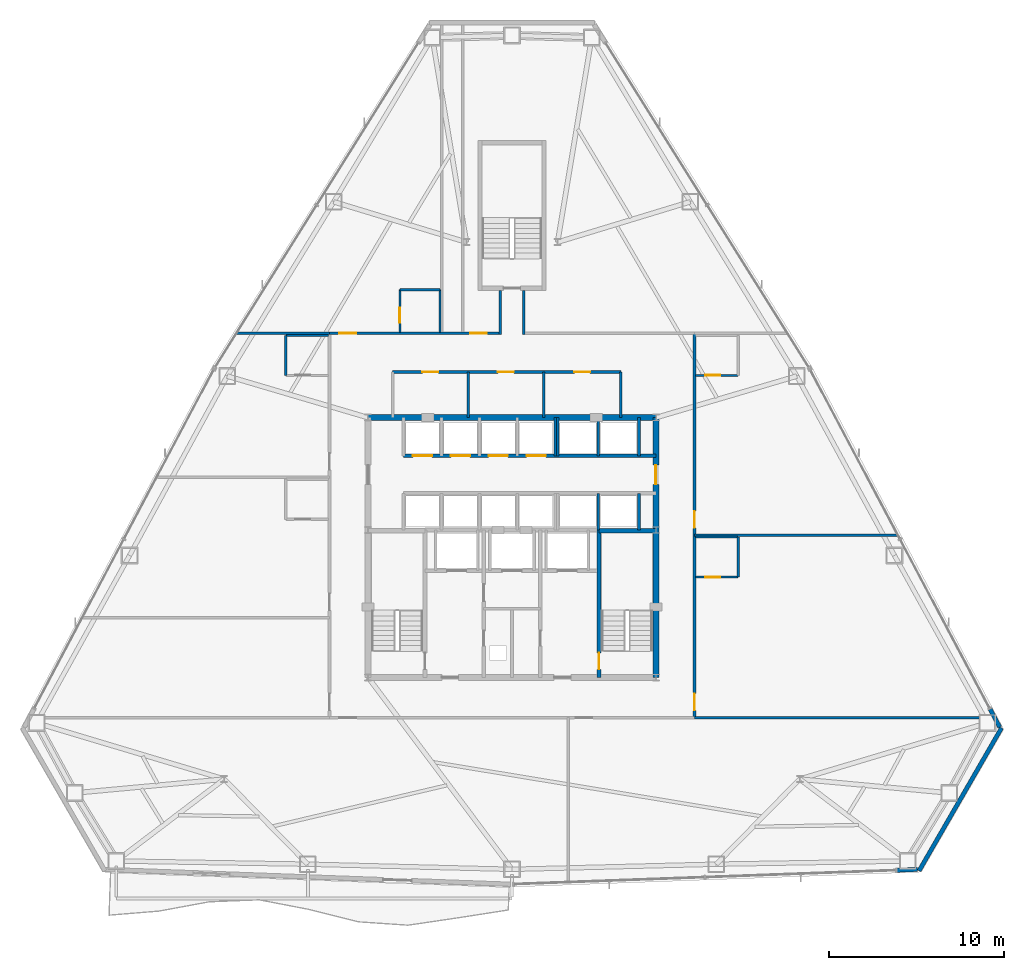
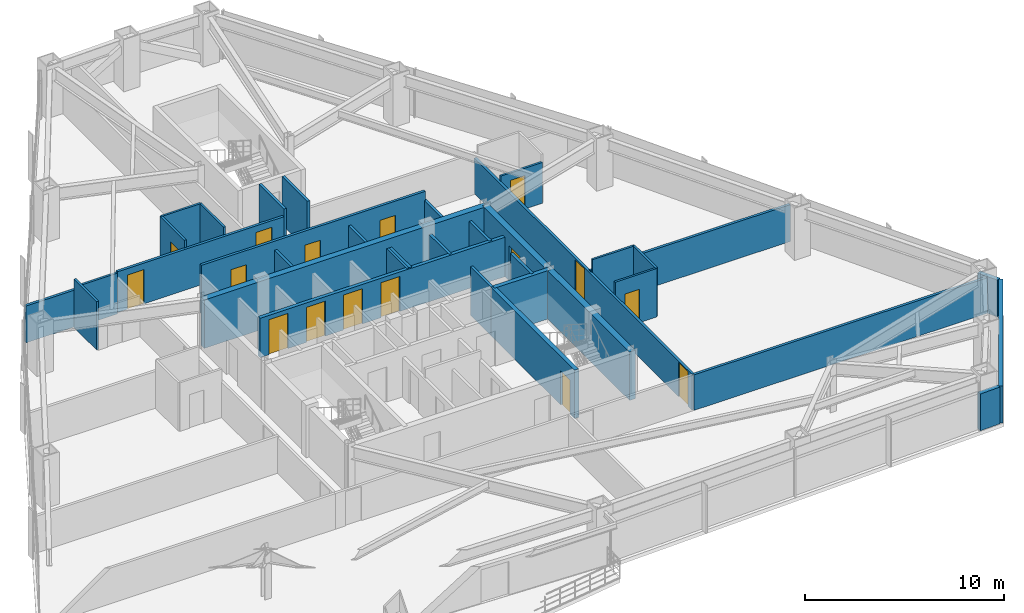
# One storey, part 10 of 13: 34 walls, 16 doors, 16 openings.
"""IFC4 building model written with IfcOpenShell, lengths in metres."""

from ifc_helpers import new_model, si_unit, direction, frame, frame_2d, origin, place, context, subcontext, project, spatial, rectangle, extrude, material, layer, layer_set, type_object, element, fill, save


model = new_model("IFC4")

# Units and contexts
model_context = context("Model", 3, precision=1e-05, world=origin(), true_north=direction((0.0, 1.0)))
body_context = subcontext(model_context, "Body", "Model", "MODEL_VIEW")
ifc_project = project(units=[si_unit("LENGTHUNIT", "METRE"), si_unit("AREAUNIT", "SQUARE_METRE"), si_unit("VOLUMEUNIT", "CUBIC_METRE"), si_unit("PLANEANGLEUNIT", "RADIAN"), si_unit("MASSUNIT", "GRAM", prefix="KILO")], contexts=[model_context])

# Site, building, storey
site_placement = place(None, origin())
site = spatial("IfcSite", under=ifc_project, at=site_placement, CompositionType="ELEMENT")
building_placement = place(site_placement, origin())
building = spatial("IfcBuilding", under=site, at=building_placement, Name="Varakhsha Concourse Tower", CompositionType="ELEMENT")
storey_placement = place(building_placement, frame((0.0, 0.0, 99.0)))
storey = spatial("IfcBuildingStorey", under=building, at=storey_placement, Name="L28", CompositionType="ELEMENT", Elevation=99.0)

# Wall
ifc_material_1 = material(Name="Concrete fc 65 MPa", Category="concrete")
ifc_layer_1 = layer(ifc_material_1, 0.35009765625, Name="WL-CORE-350")
ifc_layer_set_1 = layer_set([ifc_layer_1], Name="Concrete fc 65 MPa")
wall_type_1 = type_object("IfcWallType", Name="WL-CORE-350", PredefinedType="SHEAR", material=ifc_layer_set_1)
wall_1_placement = place(storey_placement, frame((31.800048828125, 31.199951171875, 0.0), z_axis=(0.0, 0.0, 1.0), x_axis=(1.0, 0.0, 0.0)))
element("IfcWall", 1, at=wall_1_placement, inside=storey, type_object=wall_type_1, Name="L28 Wall CWALL-N-L28", PredefinedType="SHEAR", context=body_context, shape_type="SweptSolid", body=[
    extrude(rectangle(XDim=16.39990234375, YDim=0.35009765625, at=frame_2d((8.199951171875, 0.0))), origin(), (0.0, 0.0, 1.0), 2.969970703125),
])

# Wall, opening, door
wall_2_placement = place(storey_placement, frame((48.199951171875, 16.39990234375, 0.0), z_axis=(0.0, 0.0, 1.0), x_axis=(0.0, 1.0, 0.0)))
wall_2 = element("IfcWall", 2, at=wall_2_placement, inside=storey, type_object=wall_type_1, Name="L28 Wall CWALL-E-L28", PredefinedType="SHEAR", context=body_context, shape_type="SweptSolid", body=[
    extrude(rectangle(XDim=14.800048828125, YDim=0.35009765625, at=frame_2d((7.39990234375, 0.0))), origin(), (0.0, 0.0, 1.0), 2.969970703125),
])
opening_1_placement = place(wall_2_placement, frame((11.0, 0.0, 0.0)))
opening_1 = element("IfcOpeningElement", 3, at=opening_1_placement, cuts=wall_2, Name="Opening DL-01", PredefinedType="OPENING", context=body_context, shape_type="SweptSolid", body=[
    extrude(rectangle(XDim=1.10009765625, YDim=2.14990234375, at=frame_2d((0.550048828125, 1.074951171875))), frame((0.0, 0.18505859375, 0.0), z_axis=(0.0, -1.0, 0.0), x_axis=(1.0, 0.0, 0.0)), (0.0, 0.0, 1.0), 0.3701171875),
])
ifc_material_2 = material(Name="Anodised Bronze Architectural Aluminium AA 6063-T6", Category="aluminium")
door_type_1 = type_object("IfcDoorType", Name="DR-LOB-1100", OperationType="NOTDEFINED", PredefinedType="DOOR", material=ifc_material_2)
door_1_placement = place(opening_1_placement, origin())
door_1 = element("IfcDoor", 4, at=door_1_placement, inside=storey, type_object=door_type_1, Name="L28 Lift Lobby East Concourse Door", OperationType="SINGLE_SWING_RIGHT", OverallHeight=2.14990234375, OverallWidth=1.10009765625, PredefinedType="DOOR", context=body_context, shape_type="SweptSolid", body=[
    extrude(rectangle(XDim=1.10009765625, YDim=2.14990234375, at=frame_2d((0.550048828125, 1.074951171875))), frame((0.0, 0.02490234375, 0.0), z_axis=(0.0, -1.0, 0.0), x_axis=(1.0, 0.0, 0.0)), (0.0, 0.0, 1.0), 0.050048828125),
])
fill(opening_1, door_1)

# Walls
ifc_material_3 = material(Name="Concrete fc 45 MPa", Category="concrete")
ifc_layer_2 = layer(ifc_material_3, 0.239990234375, Name="WL-EXT-CRN-240")
ifc_layer_set_2 = layer_set([ifc_layer_2], Name="Concrete fc 45 MPa")
wall_type_2 = type_object("IfcWallType", Name="WL-EXT-CRN-240", PredefinedType="SHEAR", material=ifc_layer_set_2)
wall_3_placement = place(storey_placement, frame((61.948486328125, 5.40966796875, 0.0), z_axis=(0.0, 0.0, 1.0), x_axis=(0.999339636621, 0.036335804358, 0.0)))
element("IfcWall", 5, at=wall_3_placement, inside=storey, type_object=wall_type_2, Name="L28 Wind-Corner Shoulder Wall F6", PredefinedType="SHEAR", context=body_context, shape_type="SweptSolid", body=[
    extrude(rectangle(XDim=1.162353515625, YDim=0.239990234375, at=frame_2d((0.5810546875, 0.0))), origin(), (0.0, 0.0, 1.0), 2.2529296875),
])
wall_4_placement = place(storey_placement, frame((67.897216796875, 13.5205078125, 0.0), z_axis=(0.0, 0.0, 1.0), x_axis=(-0.499996739618, -0.866027286158, 0.0)))
element("IfcWall", 6, at=wall_4_placement, inside=storey, type_object=wall_type_2, Name="L28 Chamfer Wind-Corner Insulated Wall F7", PredefinedType="SHEAR", context=body_context, shape_type="SweptSolid", body=[
    extrude(rectangle(XDim=9.39990234375, YDim=0.239990234375, at=frame_2d((4.699951171875, 0.0))), origin(), (0.0, 0.0, 1.0), 2.2529296875),
])
wall_5_placement = place(storey_placement, frame((67.79150390625, 13.56005859375, 0.0), z_axis=(0.0, 0.0, 1.0), x_axis=(-0.468090329887, 0.883680622774, 0.0)))
element("IfcWall", 7, at=wall_5_placement, inside=storey, type_object=wall_type_2, Name="L28 Wind-Corner Shoulder Wall F8", PredefinedType="SHEAR", context=body_context, shape_type="SweptSolid", body=[
    extrude(rectangle(XDim=1.16259765625, YDim=0.239990234375, at=frame_2d((0.581298828125, 0.0))), origin(), (0.0, 0.0, 1.0), 2.2529296875),
])
ifc_material_4 = material(Name="Acoustic Gypsum Board Partition Assembly", Category="gypsum")
ifc_layer_3 = layer(ifc_material_4, 0.1201171875, Name="WL-PART-120")
ifc_layer_set_3 = layer_set([ifc_layer_3], Name="Acoustic Gypsum Board Partition Assembly")
wall_type_3 = type_object("IfcWallType", Name="WL-PART-120", PredefinedType="PARTITIONING", material=ifc_layer_set_3)
wall_6_placement = place(storey_placement, frame((27.110107421875, 33.610107421875, 0.0), z_axis=(0.0, 0.0, 1.0), x_axis=(0.0, 1.0, 0.0)))
element("IfcWall", 8, at=wall_6_placement, inside=storey, type_object=wall_type_3, Name="L28 Wall ENSW-W-L28-H05", PredefinedType="PARTITIONING", context=body_context, shape_type="SweptSolid", body=[
    extrude(rectangle(XDim=2.27978515625, YDim=0.1201171875, at=frame_2d((1.139892578125, 0.0))), origin(), (0.0, 0.0, 1.0), 2.969970703125),
])
wall_7_placement = place(storey_placement, frame((27.110107421875, 35.889892578125, 0.0), z_axis=(0.0, 0.0, 1.0), x_axis=(1.0, 0.0, 0.0)))
element("IfcWall", 9, at=wall_7_placement, inside=storey, type_object=wall_type_3, Name="L28 Wall ENSW-N-L28-H05", PredefinedType="PARTITIONING", context=body_context, shape_type="SweptSolid", body=[
    extrude(rectangle(XDim=2.429931640625, YDim=0.1201171875, at=frame_2d((1.21484375, 0.0))), origin(), (0.0, 0.0, 1.0), 2.5029296875),
])
wall_8_placement = place(storey_placement, frame((52.889892578125, 22.110107421875, 0.0), z_axis=(0.0, 0.0, 1.0), x_axis=(0.0, 1.0, 0.0)))
element("IfcWall", 10, at=wall_8_placement, inside=storey, type_object=wall_type_3, Name="L28 Wall ENSW-E-L28-H06", PredefinedType="PARTITIONING", context=body_context, shape_type="SweptSolid", body=[
    extrude(rectangle(XDim=2.27978515625, YDim=0.1201171875, at=frame_2d((1.139892578125, 0.0))), origin(), (0.0, 0.0, 1.0), 2.969970703125),
])

# Wall, opening, door
wall_9_placement = place(storey_placement, frame((50.4599609375, 22.110107421875, 0.0), z_axis=(0.0, 0.0, 1.0), x_axis=(1.0, 0.0, 0.0)))
wall_9 = element("IfcWall", 11, at=wall_9_placement, inside=storey, type_object=wall_type_3, Name="L28 Wall ENSW-S-L28-H06", PredefinedType="PARTITIONING", context=body_context, shape_type="SweptSolid", body=[
    extrude(rectangle(XDim=2.429931640625, YDim=0.1201171875, at=frame_2d((1.21484375, 0.0))), origin(), (0.0, 0.0, 1.0), 2.969970703125),
])
opening_2_placement = place(wall_9_placement, frame((0.550048828125, 0.0, 0.0)))
opening_2 = element("IfcOpeningElement", 12, at=opening_2_placement, cuts=wall_9, Name="Opening DI-01", PredefinedType="OPENING", context=body_context, shape_type="SweptSolid", body=[
    extrude(rectangle(XDim=0.85009765625, YDim=2.050048828125, at=frame_2d((0.425048828125, 1.02490234375))), frame((0.0, 0.070068359375, 0.0), z_axis=(0.0, -1.0, 0.0), x_axis=(1.0, 0.0, 0.0)), (0.0, 0.0, 1.0), 0.14013671875),
])
ifc_material_5 = material(Name="Architectural Walnut Acoustic Timber Door", Category="wood")
door_type_2 = type_object("IfcDoorType", Name="DR-INT-850", OperationType="NOTDEFINED", PredefinedType="DOOR", material=ifc_material_5)
door_2_placement = place(opening_2_placement, origin())
door_2 = element("IfcDoor", 13, at=door_2_placement, inside=storey, type_object=door_type_2, Name="L28 En-suite Bathroom Door L28-H06", OperationType="SINGLE_SWING_RIGHT", OverallHeight=2.050048828125, OverallWidth=0.85009765625, PredefinedType="DOOR", context=body_context, shape_type="SweptSolid", body=[
    extrude(rectangle(XDim=0.85009765625, YDim=2.050048828125, at=frame_2d((0.425048828125, 1.02490234375))), frame((0.0, 0.02490234375, 0.0), z_axis=(0.0, -1.0, 0.0), x_axis=(1.0, 0.0, 0.0)), (0.0, 0.0, 1.0), 0.050048828125),
])
fill(opening_2, door_2)

# Wall
wall_10_placement = place(storey_placement, frame((50.4599609375, 24.389892578125, 0.0), z_axis=(0.0, 0.0, 1.0), x_axis=(1.0, 0.0, 0.0)))
element("IfcWall", 14, at=wall_10_placement, inside=storey, type_object=wall_type_3, Name="L28 Wall ENSW-N-L28-H06", PredefinedType="PARTITIONING", context=body_context, shape_type="SweptSolid", body=[
    extrude(rectangle(XDim=2.429931640625, YDim=0.1201171875, at=frame_2d((1.21484375, 0.0))), origin(), (0.0, 0.0, 1.0), 2.969970703125),
])

# Wall, opening, door
wall_11_placement = place(storey_placement, frame((50.4599609375, 33.610107421875, 0.0), z_axis=(0.0, 0.0, 1.0), x_axis=(1.0, 0.0, 0.0)))
wall_11 = element("IfcWall", 15, at=wall_11_placement, inside=storey, type_object=wall_type_3, Name="L28 Wall ENSW-S-L28-H07", PredefinedType="PARTITIONING", context=body_context, shape_type="SweptSolid", body=[
    extrude(rectangle(XDim=2.429931640625, YDim=0.1201171875, at=frame_2d((1.21484375, 0.0))), origin(), (0.0, 0.0, 1.0), 2.5029296875),
])
opening_3_placement = place(wall_11_placement, frame((0.550048828125, 0.0, 0.0)))
opening_3 = element("IfcOpeningElement", 16, at=opening_3_placement, cuts=wall_11, Name="Opening DI-01", PredefinedType="OPENING", context=body_context, shape_type="SweptSolid", body=[
    extrude(rectangle(XDim=0.85009765625, YDim=2.050048828125, at=frame_2d((0.425048828125, 1.02490234375))), frame((0.0, 0.070068359375, 0.0), z_axis=(0.0, -1.0, 0.0), x_axis=(1.0, 0.0, 0.0)), (0.0, 0.0, 1.0), 0.14013671875),
])
door_3_placement = place(opening_3_placement, origin())
door_3 = element("IfcDoor", 17, at=door_3_placement, inside=storey, type_object=door_type_2, Name="L28 En-suite Bathroom Door L28-H07", OperationType="SINGLE_SWING_RIGHT", OverallHeight=2.050048828125, OverallWidth=0.85009765625, PredefinedType="DOOR", context=body_context, shape_type="SweptSolid", body=[
    extrude(rectangle(XDim=0.85009765625, YDim=2.050048828125, at=frame_2d((0.425048828125, 1.02490234375))), frame((0.0, 0.02490234375, 0.0), z_axis=(0.0, -1.0, 0.0), x_axis=(1.0, 0.0, 0.0)), (0.0, 0.0, 1.0), 0.050048828125),
])
fill(opening_3, door_3)

wall_12_placement = place(storey_placement, frame((33.610107421875, 36.06005859375, 0.0), z_axis=(0.0, 0.0, 1.0), x_axis=(0.0, 1.0, 0.0)))
wall_12 = element("IfcWall", 18, at=wall_12_placement, inside=storey, type_object=wall_type_3, Name="L28 Wall ENSW-W-L28-H08", PredefinedType="PARTITIONING", context=body_context, shape_type="SweptSolid", body=[
    extrude(rectangle(XDim=2.429931640625, YDim=0.1201171875, at=frame_2d((1.21484375, 0.0))), origin(), (0.0, 0.0, 1.0), 2.969970703125),
])
opening_4_placement = place(wall_12_placement, frame((0.550048828125, 0.0, 0.0)))
opening_4 = element("IfcOpeningElement", 19, at=opening_4_placement, cuts=wall_12, Name="Opening DI-01", PredefinedType="OPENING", context=body_context, shape_type="SweptSolid", body=[
    extrude(rectangle(XDim=0.85009765625, YDim=2.050048828125, at=frame_2d((0.425048828125, 1.02490234375))), frame((0.0, 0.070068359375, 0.0), z_axis=(0.0, -1.0, 0.0), x_axis=(1.0, 0.0, 0.0)), (0.0, 0.0, 1.0), 0.14013671875),
])
door_4_placement = place(opening_4_placement, origin())
door_4 = element("IfcDoor", 20, at=door_4_placement, inside=storey, type_object=door_type_2, Name="L28 En-suite Bathroom Door L28-H08", OperationType="SINGLE_SWING_RIGHT", OverallHeight=2.050048828125, OverallWidth=0.85009765625, PredefinedType="DOOR", context=body_context, shape_type="SweptSolid", body=[
    extrude(rectangle(XDim=0.85009765625, YDim=2.050048828125, at=frame_2d((0.425048828125, 1.02490234375))), frame((0.0, 0.02490234375, 0.0), z_axis=(0.0, -1.0, 0.0), x_axis=(1.0, 0.0, 0.0)), (0.0, 0.0, 1.0), 0.050048828125),
])
fill(opening_4, door_4)

# Walls
wall_13_placement = place(storey_placement, frame((35.889892578125, 36.06005859375, 0.0), z_axis=(0.0, 0.0, 1.0), x_axis=(0.0, 1.0, 0.0)))
element("IfcWall", 21, at=wall_13_placement, inside=storey, type_object=wall_type_3, Name="L28 Wall ENSW-E-L28-H08", PredefinedType="PARTITIONING", context=body_context, shape_type="SweptSolid", body=[
    extrude(rectangle(XDim=2.429931640625, YDim=0.1201171875, at=frame_2d((1.21484375, 0.0))), origin(), (0.0, 0.0, 1.0), 2.969970703125),
])
wall_14_placement = place(storey_placement, frame((33.610107421875, 38.489990234375, 0.0), z_axis=(0.0, 0.0, 1.0), x_axis=(1.0, 0.0, 0.0)))
element("IfcWall", 22, at=wall_14_placement, inside=storey, type_object=wall_type_3, Name="L28 Wall ENSW-N-L28-H08", PredefinedType="PARTITIONING", context=body_context, shape_type="SweptSolid", body=[
    extrude(rectangle(XDim=2.27978515625, YDim=0.1201171875, at=frame_2d((1.139892578125, 0.0))), origin(), (0.0, 0.0, 1.0), 2.969970703125),
])

# Wall, openings, doors
ifc_material_6 = material(Name="Fire-Rated Type X Gypsum Partition Assembly", Category="gypsum")
ifc_layer_4 = layer(ifc_material_6, 0.14990234375, Name="WL-PART-150")
ifc_layer_set_4 = layer_set([ifc_layer_4], Name="Fire-Rated Type X Gypsum Partition Assembly")
wall_type_4 = type_object("IfcWallType", Name="WL-PART-150", PredefinedType="PARTITIONING", material=ifc_layer_set_4)
wall_15_placement = place(storey_placement, frame((33.199951171875, 33.800048828125, 0.0), z_axis=(0.0, 0.0, 1.0), x_axis=(1.0, 0.0, 0.0)))
wall_15 = element("IfcWall", 23, at=wall_15_placement, inside=storey, type_object=wall_type_4, Name="L28 Wall NBOH-N-L28", PredefinedType="PARTITIONING", context=body_context, shape_type="SweptSolid", body=[
    extrude(rectangle(XDim=13.0, YDim=0.14990234375, at=frame_2d((6.5, 0.0))), origin(), (0.0, 0.0, 1.0), 2.969970703125),
])
opening_5_placement = place(wall_15_placement, frame((1.699951171875, 0.0, 0.0)))
opening_5 = element("IfcOpeningElement", 24, at=opening_5_placement, cuts=wall_15, Name="Opening DF-06", PredefinedType="OPENING", context=body_context, shape_type="SweptSolid", body=[
    extrude(rectangle(XDim=0.89990234375, YDim=2.10009765625, at=frame_2d((0.449951171875, 1.050048828125))), frame((0.0, 0.0849609375, 0.0), z_axis=(0.0, -1.0, 0.0), x_axis=(1.0, 0.0, 0.0)), (0.0, 0.0, 1.0), 0.169921875),
])
opening_6_placement = place(wall_15_placement, frame((6.0, 0.0, 0.0)))
opening_6 = element("IfcOpeningElement", 25, at=opening_6_placement, cuts=wall_15, Name="Opening DF-06", PredefinedType="OPENING", context=body_context, shape_type="SweptSolid", body=[
    extrude(rectangle(XDim=0.89990234375, YDim=2.10009765625, at=frame_2d((0.449951171875, 1.050048828125))), frame((0.0, 0.0849609375, 0.0), z_axis=(0.0, -1.0, 0.0), x_axis=(1.0, 0.0, 0.0)), (0.0, 0.0, 1.0), 0.169921875),
])
opening_7_placement = place(wall_15_placement, frame((10.35009765625, 0.0, 0.0)))
opening_7 = element("IfcOpeningElement", 26, at=opening_7_placement, cuts=wall_15, Name="Opening DF-06", PredefinedType="OPENING", context=body_context, shape_type="SweptSolid", body=[
    extrude(rectangle(XDim=0.89990234375, YDim=2.10009765625, at=frame_2d((0.449951171875, 1.050048828125))), frame((0.0, 0.0849609375, 0.0), z_axis=(0.0, -1.0, 0.0), x_axis=(1.0, 0.0, 0.0)), (0.0, 0.0, 1.0), 0.169921875),
])
ifc_material_7 = material(Name="Hollow Galvanised Steel Fire Door Assembly", Category="steel")
door_type_3 = type_object("IfcDoorType", Name="DR-FD60-900", OperationType="NOTDEFINED", PredefinedType="DOOR", material=ifc_material_7)
door_5_placement = place(opening_5_placement, origin())
door_5 = element("IfcDoor", 27, at=door_5_placement, inside=storey, type_object=door_type_3, Name="L28 Housekeeping and Linen Room Door", OperationType="SINGLE_SWING_LEFT", OverallHeight=2.10009765625, OverallWidth=0.89990234375, PredefinedType="DOOR", context=body_context, shape_type="SweptSolid", body=[
    extrude(rectangle(XDim=0.89990234375, YDim=2.10009765625, at=frame_2d((0.449951171875, 1.050048828125))), frame((0.0, 0.02490234375, 0.0), z_axis=(0.0, -1.0, 0.0), x_axis=(1.0, 0.0, 0.0)), (0.0, 0.0, 1.0), 0.050048828125),
])
fill(opening_5, door_5)
door_6_placement = place(opening_6_placement, origin())
door_6 = element("IfcDoor", 28, at=door_6_placement, inside=storey, type_object=door_type_3, Name="L28 Accessible WC Door", OperationType="SINGLE_SWING_RIGHT", OverallHeight=2.10009765625, OverallWidth=0.89990234375, PredefinedType="DOOR", context=body_context, shape_type="SweptSolid", body=[
    extrude(rectangle(XDim=0.89990234375, YDim=2.10009765625, at=frame_2d((0.449951171875, 1.050048828125))), frame((0.0, 0.02490234375, 0.0), z_axis=(0.0, -1.0, 0.0), x_axis=(1.0, 0.0, 0.0)), (0.0, 0.0, 1.0), 0.050048828125),
])
fill(opening_6, door_6)
door_7_placement = place(opening_7_placement, origin())
door_7 = element("IfcDoor", 29, at=door_7_placement, inside=storey, type_object=door_type_3, Name="L28 Staff Restroom WC Door", OperationType="SINGLE_SWING_LEFT", OverallHeight=2.10009765625, OverallWidth=0.89990234375, PredefinedType="DOOR", context=body_context, shape_type="SweptSolid", body=[
    extrude(rectangle(XDim=0.89990234375, YDim=2.10009765625, at=frame_2d((0.449951171875, 1.050048828125))), frame((0.0, 0.02490234375, 0.0), z_axis=(0.0, -1.0, 0.0), x_axis=(1.0, 0.0, 0.0)), (0.0, 0.0, 1.0), 0.050048828125),
])
fill(opening_7, door_7)

# Walls
for number, where, z_axis, x_axis, name in (
    (30, (46.199951171875, 31.199951171875, 0.0), (0.0, 0.0, 1.0), (0.0, 1.0, 0.0), "L28 Wall NBOH-E-L28"),
    (31, (37.5, 31.199951171875, 0.0), (0.0, 0.0, 1.0), (0.0, 1.0, 0.0), "L28 Wall NBOH-D1-L28"),
    (32, (41.800048828125, 31.199951171875, 0.0), (0.0, 0.0, 1.0), (0.0, 1.0, 0.0), "L28 Wall NBOH-D2-L28"),
):
    element("IfcWall", number, at=place(storey_placement, frame(where, z_axis=z_axis, x_axis=x_axis)), inside=storey, type_object=wall_type_4, Name=name, PredefinedType="PARTITIONING", context=body_context, shape_type="SweptSolid", body=[
        extrude(rectangle(XDim=2.60009765625, YDim=0.14990234375, at=frame_2d((1.300048828125, 0.0))), origin(), (0.0, 0.0, 1.0), 2.4208984375),
    ])

# Wall, openings, doors
wall_16_placement = place(storey_placement, frame((29.60009765625, 36.0, 0.0), z_axis=(0.0, 0.0, 1.0), x_axis=(1.0, 0.0, 0.0)))
wall_16 = element("IfcWall", 33, at=wall_16_placement, inside=storey, type_object=wall_type_4, Name="L28 Wall CRW-N-L28", PredefinedType="PARTITIONING", context=body_context, shape_type="SweptSolid", body=[
    extrude(rectangle(XDim=9.64990234375, YDim=0.14990234375, at=frame_2d((4.824951171875, 0.0))), origin(), (0.0, 0.0, 1.0), 2.5029296875),
])
opening_8_placement = place(wall_16_placement, frame((0.570068359375, 0.0, 0.0)))
opening_8 = element("IfcOpeningElement", 34, at=opening_8_placement, cuts=wall_16, Name="Opening DF-05", PredefinedType="OPENING", context=body_context, shape_type="SweptSolid", body=[
    extrude(rectangle(XDim=0.949951171875, YDim=2.10009765625, at=frame_2d((0.47509765625, 1.050048828125))), frame((0.0, 0.0849609375, 0.0), z_axis=(0.0, -1.0, 0.0), x_axis=(1.0, 0.0, 0.0)), (0.0, 0.0, 1.0), 0.169921875),
])
opening_9_placement = place(wall_16_placement, frame((8.02001953125, 0.0, 0.0)))
opening_9 = element("IfcOpeningElement", 35, at=opening_9_placement, cuts=wall_16, Name="Opening DF-05", PredefinedType="OPENING", context=body_context, shape_type="SweptSolid", body=[
    extrude(rectangle(XDim=0.949951171875, YDim=2.10009765625, at=frame_2d((0.47509765625, 1.050048828125))), frame((0.0, 0.0849609375, 0.0), z_axis=(0.0, -1.0, 0.0), x_axis=(1.0, 0.0, 0.0)), (0.0, 0.0, 1.0), 0.169921875),
])
door_type_4 = type_object("IfcDoorType", Name="DR-FD60-950", OperationType="NOTDEFINED", PredefinedType="DOOR", material=ifc_material_7)
door_8_placement = place(opening_8_placement, origin())
door_8 = element("IfcDoor", 36, at=door_8_placement, inside=storey, type_object=door_type_4, Name="L28 Hotel Corner Suite L28-H08 Entry Door", OperationType="SINGLE_SWING_RIGHT", OverallHeight=2.10009765625, OverallWidth=0.949951171875, PredefinedType="DOOR", context=body_context, shape_type="SweptSolid", body=[
    extrude(rectangle(XDim=0.949951171875, YDim=2.10009765625, at=frame_2d((0.47509765625, 1.050048828125))), frame((0.0, 0.02490234375, 0.0), z_axis=(0.0, -1.0, 0.0), x_axis=(1.0, 0.0, 0.0)), (0.0, 0.0, 1.0), 0.050048828125),
])
fill(opening_8, door_8)
door_9_placement = place(opening_9_placement, origin())
door_9 = element("IfcDoor", 37, at=door_9_placement, inside=storey, type_object=door_type_4, Name="L28 Hospitality Conservatory Lounge L28-H09 Door", OperationType="SINGLE_SWING_LEFT", OverallHeight=2.10009765625, OverallWidth=0.949951171875, PredefinedType="DOOR", context=body_context, shape_type="SweptSolid", body=[
    extrude(rectangle(XDim=0.949951171875, YDim=2.10009765625, at=frame_2d((0.47509765625, 1.050048828125))), frame((0.0, 0.02490234375, 0.0), z_axis=(0.0, -1.0, 0.0), x_axis=(1.0, 0.0, 0.0)), (0.0, 0.0, 1.0), 0.050048828125),
])
fill(opening_9, door_9)

wall_17_placement = place(storey_placement, frame((50.39990234375, 14.10009765625, 0.0), z_axis=(0.0, 0.0, 1.0), x_axis=(0.0, 1.0, 0.0)))
wall_17 = element("IfcWall", 38, at=wall_17_placement, inside=storey, type_object=wall_type_4, Name="L28 Wall CRW-E-L28", PredefinedType="PARTITIONING", context=body_context, shape_type="SweptSolid", body=[
    extrude(rectangle(XDim=21.89990234375, YDim=0.14990234375, at=frame_2d((10.949951171875, 0.0))), origin(), (0.0, 0.0, 1.0), 2.180908203125),
])
opening_10_placement = place(wall_17_placement, frame((0.419921875, 0.0, 0.0)))
opening_10 = element("IfcOpeningElement", 39, at=opening_10_placement, cuts=wall_17, Name="Opening DF-05", PredefinedType="OPENING", context=body_context, shape_type="SweptSolid", body=[
    extrude(rectangle(XDim=0.949951171875, YDim=2.10009765625, at=frame_2d((0.47509765625, 1.050048828125))), frame((0.0, 0.0849609375, 0.0), z_axis=(0.0, -1.0, 0.0), x_axis=(1.0, 0.0, 0.0)), (0.0, 0.0, 1.0), 0.169921875),
])
opening_11_placement = place(wall_17_placement, frame((10.820068359375, 0.0, 0.0)))
opening_11 = element("IfcOpeningElement", 40, at=opening_11_placement, cuts=wall_17, Name="Opening DF-05", PredefinedType="OPENING", context=body_context, shape_type="SweptSolid", body=[
    extrude(rectangle(XDim=0.949951171875, YDim=2.10009765625, at=frame_2d((0.47509765625, 1.050048828125))), frame((0.0, 0.0849609375, 0.0), z_axis=(0.0, -1.0, 0.0), x_axis=(1.0, 0.0, 0.0)), (0.0, 0.0, 1.0), 0.169921875),
])
door_10_placement = place(opening_10_placement, origin())
door_10 = element("IfcDoor", 41, at=door_10_placement, inside=storey, type_object=door_type_4, Name="L28 Hotel Corner Suite L28-H06 Entry Door", OperationType="SINGLE_SWING_RIGHT", OverallHeight=2.10009765625, OverallWidth=0.949951171875, PredefinedType="DOOR", context=body_context, shape_type="SweptSolid", body=[
    extrude(rectangle(XDim=0.949951171875, YDim=2.10009765625, at=frame_2d((0.47509765625, 1.050048828125))), frame((0.0, 0.02490234375, 0.0), z_axis=(0.0, -1.0, 0.0), x_axis=(1.0, 0.0, 0.0)), (0.0, 0.0, 1.0), 0.050048828125),
])
fill(opening_10, door_10)
door_11_placement = place(opening_11_placement, origin())
door_11 = element("IfcDoor", 42, at=door_11_placement, inside=storey, type_object=door_type_4, Name="L28 Hotel Corner Suite L28-H07 Entry Door", OperationType="SINGLE_SWING_LEFT", OverallHeight=2.10009765625, OverallWidth=0.949951171875, PredefinedType="DOOR", context=body_context, shape_type="SweptSolid", body=[
    extrude(rectangle(XDim=0.949951171875, YDim=2.10009765625, at=frame_2d((0.47509765625, 1.050048828125))), frame((0.0, 0.02490234375, 0.0), z_axis=(0.0, -1.0, 0.0), x_axis=(1.0, 0.0, 0.0)), (0.0, 0.0, 1.0), 0.050048828125),
])
fill(opening_11, door_11)

# Walls
wall_18_placement = place(storey_placement, frame((24.297119140625, 36.0, 0.0), z_axis=(0.0, 0.0, 1.0), x_axis=(1.0, 0.0, 0.0)))
element("IfcWall", 43, at=wall_18_placement, inside=storey, type_object=wall_type_4, Name="L28 Wall HDIV-WBN-L28", PredefinedType="PARTITIONING", context=body_context, shape_type="SweptSolid", body=[
    extrude(rectangle(XDim=5.302978515625, YDim=0.14990234375, at=frame_2d((2.6513671875, 0.0))), origin(), (0.0, 0.0, 1.0), 2.258056640625),
])
wall_19_placement = place(storey_placement, frame((50.39990234375, 14.10009765625, 0.0), z_axis=(0.0, 0.0, 1.0), x_axis=(1.0, 0.0, 0.0)))
element("IfcWall", 44, at=wall_19_placement, inside=storey, type_object=wall_type_4, Name="L28 Wall HDIV-EB0-L28", PredefinedType="PARTITIONING", context=body_context, shape_type="SweptSolid", body=[
    extrude(rectangle(XDim=17.099853515625, YDim=0.14990234375, at=frame_2d((8.5498046875, 0.0))), origin(), (0.0, 0.0, 1.0), 2.180908203125),
])
wall_20_placement = place(storey_placement, frame((50.39990234375, 24.5, 0.0), z_axis=(0.0, 0.0, 1.0), x_axis=(1.0, 0.0, 0.0)))
element("IfcWall", 45, at=wall_20_placement, inside=storey, type_object=wall_type_4, Name="L28 Wall HDIV-E1-L28", PredefinedType="PARTITIONING", context=body_context, shape_type="SweptSolid", body=[
    extrude(rectangle(XDim=11.59033203125, YDim=0.14990234375, at=frame_2d((5.795166015625, 0.0))), origin(), (0.0, 0.0, 1.0), 2.258056640625),
])
for number, where, z_axis, x_axis, name in (
    (46, (39.324951171875, 35.925048828125, 0.0), (0.0, 0.0, 1.0), (0.0, 1.0, 0.0), "L28 Wall STUB-W-L28"),
    (47, (40.675048828125, 35.925048828125, 0.0), (0.0, 0.0, 1.0), (0.0, 1.0, 0.0), "L28 Wall STUB-E-L28"),
):
    element("IfcWall", number, at=place(storey_placement, frame(where, z_axis=z_axis, x_axis=x_axis)), inside=storey, type_object=wall_type_4, Name=name, PredefinedType="PARTITIONING", context=body_context, shape_type="SweptSolid", body=[
        extrude(rectangle(XDim=2.52490234375, YDim=0.14990234375, at=frame_2d((1.262451171875, 0.0))), origin(), (0.0, 0.0, 1.0), 2.969970703125),
    ])

# Wall, openings, doors
ifc_layer_5 = layer(ifc_material_6, 0.199951171875, Name="WL-SHAFT-220")
ifc_layer_set_5 = layer_set([ifc_layer_5], Name="Fire-Rated Type X Gypsum Partition Assembly")
wall_type_5 = type_object("IfcWallType", Name="WL-SHAFT-220", PredefinedType="SOLIDWALL", material=ifc_layer_set_5)
wall_21_placement = place(storey_placement, frame((33.820068359375, 29.02001953125, 0.0), z_axis=(0.0, 0.0, 1.0), x_axis=(1.0, 0.0, 0.0)))
wall_21 = element("IfcWall", 48, at=wall_21_placement, inside=storey, type_object=wall_type_5, Name="L28 Wall PLW-N-L28", PredefinedType="SOLIDWALL", context=body_context, shape_type="SweptSolid", body=[
    extrude(rectangle(XDim=14.3798828125, YDim=0.199951171875, at=frame_2d((7.18994140625, 0.0))), origin(), (0.0, 0.0, 1.0), 2.4208984375),
])
opening_12_placement = place(wall_21_placement, frame((0.530029296875, 0.0, 0.0)))
opening_12 = element("IfcOpeningElement", 49, at=opening_12_placement, cuts=wall_21, Name="Opening LD-LF-P01", PredefinedType="OPENING", context=body_context, shape_type="SweptSolid", body=[
    extrude(rectangle(XDim=1.10009765625, YDim=2.14990234375, at=frame_2d((0.550048828125, 1.074951171875))), frame((0.0, 0.10986328125, 0.0), z_axis=(0.0, -1.0, 0.0), x_axis=(1.0, 0.0, 0.0)), (0.0, 0.0, 1.0), 0.219970703125),
])
opening_13_placement = place(wall_21_placement, frame((2.68994140625, 0.0, 0.0)))
opening_13 = element("IfcOpeningElement", 50, at=opening_13_placement, cuts=wall_21, Name="Opening LD-LF-P02", PredefinedType="OPENING", context=body_context, shape_type="SweptSolid", body=[
    extrude(rectangle(XDim=1.10009765625, YDim=2.14990234375, at=frame_2d((0.550048828125, 1.074951171875))), frame((0.0, 0.10986328125, 0.0), z_axis=(0.0, -1.0, 0.0), x_axis=(1.0, 0.0, 0.0)), (0.0, 0.0, 1.0), 0.219970703125),
])
opening_14_placement = place(wall_21_placement, frame((4.85009765625, 0.0, 0.0)))
opening_14 = element("IfcOpeningElement", 51, at=opening_14_placement, cuts=wall_21, Name="Opening LD-LF-P03", PredefinedType="OPENING", context=body_context, shape_type="SweptSolid", body=[
    extrude(rectangle(XDim=1.10009765625, YDim=2.14990234375, at=frame_2d((0.550048828125, 1.074951171875))), frame((0.0, 0.10986328125, 0.0), z_axis=(0.0, -1.0, 0.0), x_axis=(1.0, 0.0, 0.0)), (0.0, 0.0, 1.0), 0.219970703125),
])
opening_15_placement = place(wall_21_placement, frame((7.010009765625, 0.0, 0.0)))
opening_15 = element("IfcOpeningElement", 52, at=opening_15_placement, cuts=wall_21, Name="Opening LD-LF-P04", PredefinedType="OPENING", context=body_context, shape_type="SweptSolid", body=[
    extrude(rectangle(XDim=1.10009765625, YDim=2.14990234375, at=frame_2d((0.550048828125, 1.074951171875))), frame((0.0, 0.10986328125, 0.0), z_axis=(0.0, -1.0, 0.0), x_axis=(1.0, 0.0, 0.0)), (0.0, 0.0, 1.0), 0.219970703125),
])
ifc_material_8 = material(Name="Brushed Austenitic Stainless Steel AISI 316", Category="steel")
door_type_5 = type_object("IfcDoorType", Name="DR-LD-1100", OperationType="DOUBLE_DOOR_SLIDING", PredefinedType="DOOR", material=ifc_material_8)
door_12_placement = place(opening_12_placement, origin())
door_12 = element("IfcDoor", 53, at=door_12_placement, inside=storey, type_object=door_type_5, Name="Lift Landing Door LF-P01 L28", OperationType="DOUBLE_DOOR_SLIDING", OverallHeight=2.14990234375, OverallWidth=1.10009765625, PredefinedType="DOOR", context=body_context, shape_type="SweptSolid", body=[
    extrude(rectangle(XDim=1.10009765625, YDim=2.14990234375, at=frame_2d((0.550048828125, 1.074951171875))), frame((0.0, 0.02490234375, 0.0), z_axis=(0.0, -1.0, 0.0), x_axis=(1.0, 0.0, 0.0)), (0.0, 0.0, 1.0), 0.050048828125),
])
fill(opening_12, door_12)
door_13_placement = place(opening_13_placement, origin())
door_13 = element("IfcDoor", 54, at=door_13_placement, inside=storey, type_object=door_type_5, Name="Lift Landing Door LF-P02 L28", OperationType="DOUBLE_DOOR_SLIDING", OverallHeight=2.14990234375, OverallWidth=1.10009765625, PredefinedType="DOOR", context=body_context, shape_type="SweptSolid", body=[
    extrude(rectangle(XDim=1.10009765625, YDim=2.14990234375, at=frame_2d((0.550048828125, 1.074951171875))), frame((0.0, 0.02490234375, 0.0), z_axis=(0.0, -1.0, 0.0), x_axis=(1.0, 0.0, 0.0)), (0.0, 0.0, 1.0), 0.050048828125),
])
fill(opening_13, door_13)
door_14_placement = place(opening_14_placement, origin())
door_14 = element("IfcDoor", 55, at=door_14_placement, inside=storey, type_object=door_type_5, Name="Lift Landing Door LF-P03 L28", OperationType="DOUBLE_DOOR_SLIDING", OverallHeight=2.14990234375, OverallWidth=1.10009765625, PredefinedType="DOOR", context=body_context, shape_type="SweptSolid", body=[
    extrude(rectangle(XDim=1.10009765625, YDim=2.14990234375, at=frame_2d((0.550048828125, 1.074951171875))), frame((0.0, 0.02490234375, 0.0), z_axis=(0.0, -1.0, 0.0), x_axis=(1.0, 0.0, 0.0)), (0.0, 0.0, 1.0), 0.050048828125),
])
fill(opening_14, door_14)
door_15_placement = place(opening_15_placement, origin())
door_15 = element("IfcDoor", 56, at=door_15_placement, inside=storey, type_object=door_type_5, Name="Lift Landing Door LF-P04 L28", OperationType="DOUBLE_DOOR_SLIDING", OverallHeight=2.14990234375, OverallWidth=1.10009765625, PredefinedType="DOOR", context=body_context, shape_type="SweptSolid", body=[
    extrude(rectangle(XDim=1.10009765625, YDim=2.14990234375, at=frame_2d((0.550048828125, 1.074951171875))), frame((0.0, 0.02490234375, 0.0), z_axis=(0.0, -1.0, 0.0), x_axis=(1.0, 0.0, 0.0)), (0.0, 0.0, 1.0), 0.050048828125),
])
fill(opening_15, door_15)

# Walls
for number, where, z_axis, x_axis, name in (
    (57, (42.4599609375, 29.02001953125, 0.0), (0.0, 0.0, 1.0), (0.0, 1.0, 0.0), "L28 Wall SHW-LF-P04-E-L28"),
    (58, (42.60009765625, 29.02001953125, 0.0), (0.0, 0.0, 1.0), (0.0, 1.0, 0.0), "L28 Wall SHW-LF-P09-W-L28"),
    (59, (44.919921875, 29.02001953125, 0.0), (0.0, 0.0, 1.0), (0.0, 1.0, 0.0), "L28 Wall SHW-LF-P09-E-L28"),
    (60, (47.239990234375, 29.02001953125, 0.0), (0.0, 0.0, 1.0), (0.0, 1.0, 0.0), "L28 Wall SHW-LF-P10-E-L28"),
):
    element("IfcWall", number, at=place(storey_placement, frame(where, z_axis=z_axis, x_axis=x_axis)), inside=storey, type_object=wall_type_5, Name=name, PredefinedType="SOLIDWALL", context=body_context, shape_type="SweptSolid", body=[
        extrude(rectangle(XDim=2.179931640625, YDim=0.159912109375, at=frame_2d((1.08984375, 0.0))), origin(), (0.0, 0.0, 1.0), 2.4208984375),
    ])
for number, where, z_axis, x_axis, name in (
    (61, (44.919921875, 24.800048828125, 0.0), (0.0, 0.0, 1.0), (0.0, 1.0, 0.0), "L28 Wall SHW-LF-P11-E-L28"),
    (62, (47.239990234375, 24.800048828125, 0.0), (0.0, 0.0, 1.0), (0.0, 1.0, 0.0), "L28 Wall SHW-LF-P12-E-L28"),
):
    element("IfcWall", number, at=place(storey_placement, frame(where, z_axis=z_axis, x_axis=x_axis)), inside=storey, type_object=wall_type_5, Name=name, PredefinedType="SOLIDWALL", context=body_context, shape_type="SweptSolid", body=[
        extrude(rectangle(XDim=2.079833984375, YDim=0.159912109375, at=frame_2d((1.0400390625, 0.0))), origin(), (0.0, 0.0, 1.0), 2.969970703125),
    ])

# Wall, opening, door
ifc_layer_6 = layer(ifc_material_3, 0.25, Name="WL-STAIR-250")
ifc_layer_set_6 = layer_set([ifc_layer_6], Name="Concrete fc 45 MPa")
wall_type_6 = type_object("IfcWallType", Name="WL-STAIR-250", PredefinedType="SHEAR", material=ifc_layer_set_6)
wall_22_placement = place(storey_placement, frame((44.955078125, 16.39990234375, 0.0), z_axis=(0.0, 0.0, 1.0), x_axis=(0.0, 1.0, 0.0)))
wall_22 = element("IfcWall", 63, at=wall_22_placement, inside=storey, type_object=wall_type_6, Name="L28 Wall SWALL-ST2-W-L28", PredefinedType="SHEAR", context=body_context, shape_type="SweptSolid", body=[
    extrude(rectangle(XDim=8.400146484375, YDim=0.25, at=frame_2d((4.2001953125, 0.0))), origin(), (0.0, 0.0, 1.0), 2.969970703125),
])
opening_16_placement = place(wall_22_placement, frame((0.449951171875, 0.0, 0.0)))
opening_16 = element("IfcOpeningElement", 64, at=opening_16_placement, cuts=wall_22, Name="Opening DF-03", PredefinedType="OPENING", context=body_context, shape_type="SweptSolid", body=[
    extrude(rectangle(XDim=0.949951171875, YDim=2.10009765625, at=frame_2d((0.47509765625, 1.050048828125))), frame((0.0, 0.135009765625, 0.0), z_axis=(0.0, -1.0, 0.0), x_axis=(1.0, 0.0, 0.0)), (0.0, 0.0, 1.0), 0.27001953125),
])
door_type_6 = type_object("IfcDoorType", Name="DR-FD90-950", OperationType="NOTDEFINED", PredefinedType="DOOR", material=ifc_material_7)
door_16_placement = place(opening_16_placement, origin())
door_16 = element("IfcDoor", 65, at=door_16_placement, inside=storey, type_object=door_type_6, Name="L28 Stair ST2 Fire Door", OperationType="SINGLE_SWING_RIGHT", OverallHeight=2.10009765625, OverallWidth=0.949951171875, PredefinedType="DOOR", context=body_context, shape_type="SweptSolid", body=[
    extrude(rectangle(XDim=0.949951171875, YDim=2.10009765625, at=frame_2d((0.47509765625, 1.050048828125))), frame((0.0, 0.02490234375, 0.0), z_axis=(0.0, -1.0, 0.0), x_axis=(1.0, 0.0, 0.0)), (0.0, 0.0, 1.0), 0.050048828125),
])
fill(opening_16, door_16)

# Wall
wall_23_placement = place(storey_placement, frame((44.955078125, 24.7548828125, 0.0), z_axis=(0.0, 0.0, 1.0), x_axis=(1.0, 0.0, 0.0)))
element("IfcWall", 66, at=wall_23_placement, inside=storey, type_object=wall_type_6, Name="L28 Wall SWALL-ST2-N-L28", PredefinedType="SHEAR", context=body_context, shape_type="SweptSolid", body=[
    extrude(rectangle(XDim=3.244873046875, YDim=0.25, at=frame_2d((1.62255859375, 0.0))), origin(), (0.0, 0.0, 1.0), 2.969970703125),
])

save(model, "model.ifc")
